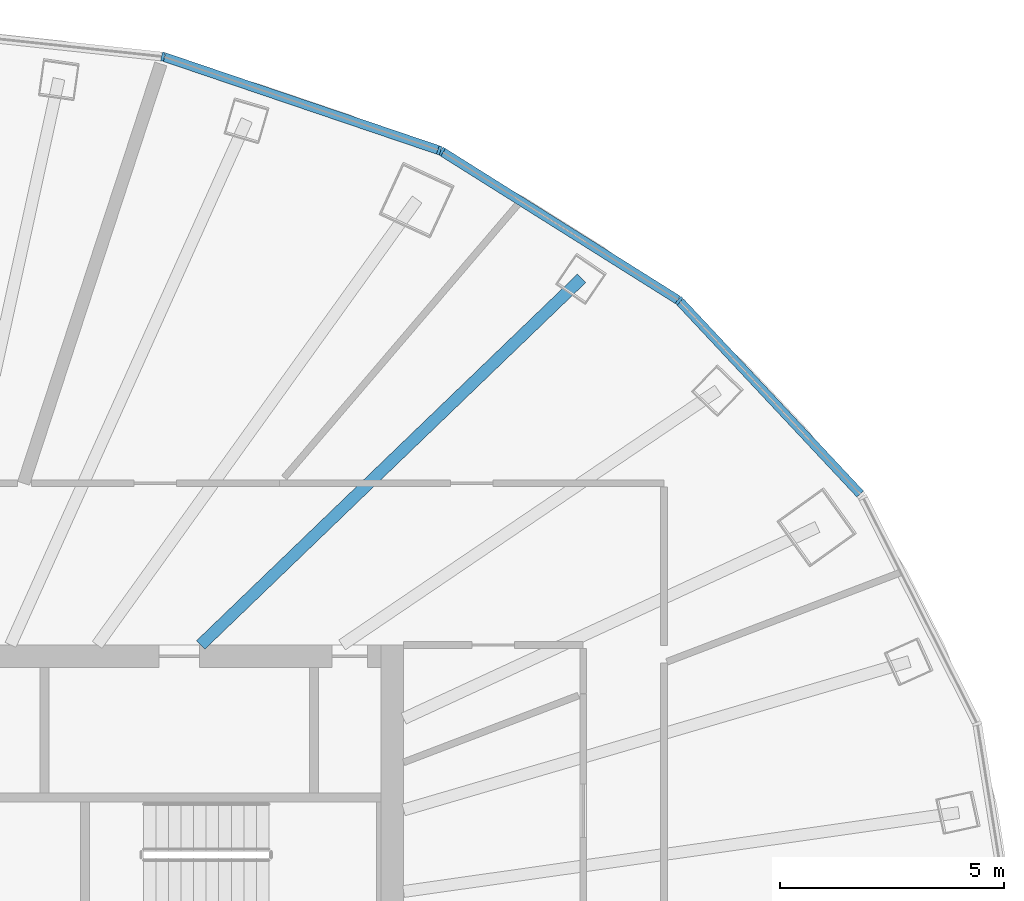
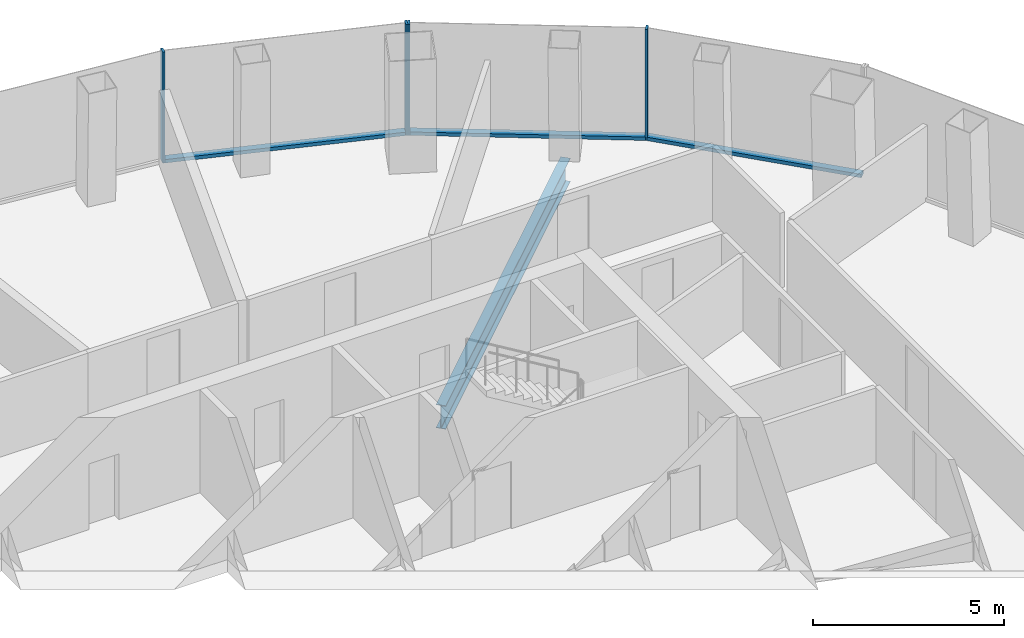
# One storey, part 6 of 12: 7 members, 1 beam, 2 elements without a shape of their own.
"""IFC4 building model written with IfcOpenShell, lengths in metres."""

from ifc_helpers import new_model, si_unit, direction, frame, origin, origin_2d, place, context, subcontext, project, spatial, rectangle, i_section, extrude, material, layer, layer_set, material_profile, profile_set, type_object, element, aggregate, save


model = new_model("IFC4")

# Units and contexts
model_context = context("Model", 3, precision=1e-05, world=origin(), true_north=direction((0.0, 1.0)))
body_context = subcontext(model_context, "Body", "Model", "MODEL_VIEW")
ifc_project = project(units=[si_unit("LENGTHUNIT", "METRE"), si_unit("AREAUNIT", "SQUARE_METRE"), si_unit("VOLUMEUNIT", "CUBIC_METRE"), si_unit("PLANEANGLEUNIT", "RADIAN"), si_unit("MASSUNIT", "GRAM", prefix="KILO")], contexts=[model_context])

# Site, building, storey
site_placement = place(None, origin())
site = spatial("IfcSite", under=ifc_project, at=site_placement, CompositionType="ELEMENT")
building_placement = place(site_placement, origin())
building = spatial("IfcBuilding", under=site, at=building_placement, Name="Siaravel Broadcast Tower", CompositionType="ELEMENT")
storey_placement = place(building_placement, frame((0.0, 0.0, 115.60009765625)))
storey = spatial("IfcBuildingStorey", under=building, at=storey_placement, Name="L27", CompositionType="ELEMENT", Elevation=115.60009765625)

# Beam
ifc_material_1 = material(Name="Steel S355", Category="steel")
ifc_material_profile_1 = material_profile(ifc_material_1, i_section(OverallWidth=0.26513671875, OverallDepth=0.75390625, WebThickness=0.0126953125, FlangeThickness=0.017578125, FilletRadius=0.0166015625, at=origin_2d()))
ifc_profile_set_1 = profile_set([ifc_material_profile_1], Name="Steel S355")
beam_type = type_object("IfcBeamType", Name="BM-UB 762x267x147", PredefinedType="BEAM", material=ifc_profile_set_1)
beam_placement = place(storey_placement, frame((15.964599609375, 15.3671875, -0.527099609375), z_axis=(-0.720463289, -0.693493078, 0.0), x_axis=(0.693493078, -0.720463289, 0.0)))
element("IfcBeam", 1, at=beam_placement, inside=storey, type_object=beam_type, Name="Radial beam RB06", PredefinedType="BEAM", context=body_context, shape_type="SweptSolid", body=[
    extrude(i_section(OverallWidth=0.26513671875, OverallDepth=0.75390625, WebThickness=0.0126953125, FlangeThickness=0.017578125, FilletRadius=0.0166015625, at=origin_2d()), origin(), (0.0, 0.0, 1.0), 11.77685546875),
])

# Curtain wall, members
ifc_material_2 = material(Name="Aluminium 6063-T6", Category="aluminium")
ifc_layer = layer(ifc_material_2, 0.199951171875)
ifc_layer_set = layer_set([ifc_layer], Name="Aluminium 6063-T6")
curtain_wall_type = type_object("IfcCurtainWallType", Name="Unitised curtain wall, zone 2", PredefinedType="NOTDEFINED", material=ifc_layer_set)
curtain_wall_1_placement = place(storey_placement, origin())
curtain_wall_1 = element("IfcCurtainWall", 2, at=curtain_wall_1_placement, inside=storey, type_object=curtain_wall_type, Name="L27 Unitised curtain wall, zone 2 02", PredefinedType="NOTDEFINED")
ifc_material_profile_2 = material_profile(ifc_material_2, rectangle(XDim=0.199951171875, YDim=0.06494140625, at=origin_2d()))
ifc_profile_set_2 = profile_set([ifc_material_profile_2], Name="Aluminium 6063-T6")
member_type_1 = type_object("IfcMemberType", Name="CW-Z2 mullion", PredefinedType="MULLION", material=ifc_profile_set_2)
member_1_placement = place(storey_placement, frame((18.137451171875, 14.869384765625, 0.0), z_axis=(0.0, 0.0, 1.0), x_axis=(-0.63621839, -0.771509015, 0.0)))
member_1 = element("IfcMember", 3, at=member_1_placement, type_object=member_type_1, Name="CW-Z2 mullion 2", PredefinedType="MULLION", context=body_context, shape_type="SweptSolid", body=[
    extrude(rectangle(XDim=0.199951171875, YDim=0.06494140625, at=origin_2d()), origin(), (0.0, 0.0, 1.0), 3.5498046875),
])
member_2_placement = place(storey_placement, frame((12.8515625, 18.191650390625, 0.0), z_axis=(0.0, 0.0, 1.0), x_axis=(-0.532149019, -0.846650708, 0.0)))
member_2 = element("IfcMember", 4, at=member_2_placement, type_object=member_type_1, Name="CW-Z2 mullion 3", PredefinedType="MULLION", context=body_context, shape_type="SweptSolid", body=[
    extrude(rectangle(XDim=0.199951171875, YDim=0.06494140625, at=origin_2d()), origin(), (0.0, 0.0, 1.0), 3.5498046875),
])

curtain_wall_2_placement = place(storey_placement, origin())
curtain_wall_2 = element("IfcCurtainWall", 5, at=curtain_wall_2_placement, inside=storey, type_object=curtain_wall_type, Name="L27 Unitised curtain wall, zone 2 03", PredefinedType="NOTDEFINED")
member_3_placement = place(storey_placement, frame((12.793212890625, 18.21923828125, 0.0), z_axis=(0.0, 0.0, 1.0), x_axis=(-0.321300513, -0.946977286, 0.0)))
member_3 = element("IfcMember", 6, at=member_3_placement, type_object=member_type_1, Name="CW-Z2 mullion 1", PredefinedType="MULLION", context=body_context, shape_type="SweptSolid", body=[
    extrude(rectangle(XDim=0.199951171875, YDim=0.06494140625, at=origin_2d()), origin(), (0.0, 0.0, 1.0), 3.5498046875),
])
member_4_placement = place(storey_placement, frame((6.637939453125, 20.307861328125, 0.0), z_axis=(0.0, 0.0, 1.0), x_axis=(-0.215557996, -0.97649104, 0.0)))
member_4 = element("IfcMember", 7, at=member_4_placement, type_object=member_type_1, Name="CW-Z2 mullion 2", PredefinedType="MULLION", context=body_context, shape_type="SweptSolid", body=[
    extrude(rectangle(XDim=0.199951171875, YDim=0.06494140625, at=origin_2d()), origin(), (0.0, 0.0, 1.0), 3.5498046875),
])

# Member
ifc_material_profile_3 = material_profile(ifc_material_2, rectangle(XDim=0.199951171875, YDim=0.110107421875, at=origin_2d()))
ifc_profile_set_3 = profile_set([ifc_material_profile_3], Name="Aluminium 6063-T6")
member_type_2 = type_object("IfcMemberType", Name="CW-Z2 transom", PredefinedType="USERDEFINED", material=ifc_profile_set_3)
member_5_placement = place(storey_placement, frame((22.17138671875, 10.56298828125, 0.054931640625), z_axis=(-0.683660134, 0.729800536, 0.0), x_axis=(-0.729800536, -0.683660134, 0.0)))
member_5 = element("IfcMember", 8, at=member_5_placement, type_object=member_type_2, Name="CW-Z2 transom 1", ObjectType="TRANSOM", PredefinedType="USERDEFINED", context=body_context, shape_type="SweptSolid", body=[
    extrude(rectangle(XDim=0.199951171875, YDim=0.110107421875, at=origin_2d()), origin(), (0.0, 0.0, 1.0), 5.867919921875),
])

member_6_placement = place(storey_placement, frame((18.10986328125, 14.886474609375, 0.054931640625), z_axis=(-0.846639093, 0.532167499, 0.0), x_axis=(-0.532167499, -0.846639093, 0.0)))
member_6 = element("IfcMember", 9, at=member_6_placement, type_object=member_type_2, Name="CW-Z2 transom 2", ObjectType="TRANSOM", PredefinedType="USERDEFINED", context=body_context, shape_type="SweptSolid", body=[
    extrude(rectangle(XDim=0.199951171875, YDim=0.110107421875, at=origin_2d()), origin(), (0.0, 0.0, 1.0), 6.17822265625),
])

aggregate(curtain_wall_1, [member_1, member_2, member_5, member_6])

member_7_placement = place(storey_placement, frame((12.762451171875, 18.229736328125, 0.054931640625), z_axis=(-0.946973753, 0.321310926, 0.0), x_axis=(-0.321310926, -0.946973753, 0.0)))
member_7 = element("IfcMember", 10, at=member_7_placement, type_object=member_type_2, Name="CW-Z2 transom 1", ObjectType="TRANSOM", PredefinedType="USERDEFINED", context=body_context, shape_type="SweptSolid", body=[
    extrude(rectangle(XDim=0.199951171875, YDim=0.110107421875, at=origin_2d()), origin(), (0.0, 0.0, 1.0), 6.43505859375),
])

aggregate(curtain_wall_2, [member_3, member_4, member_7])

save(model, "model.ifc")
